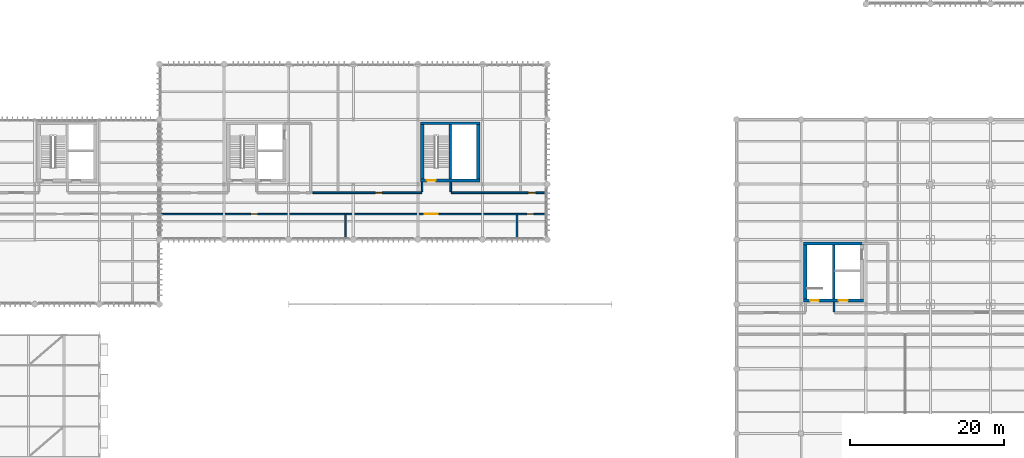
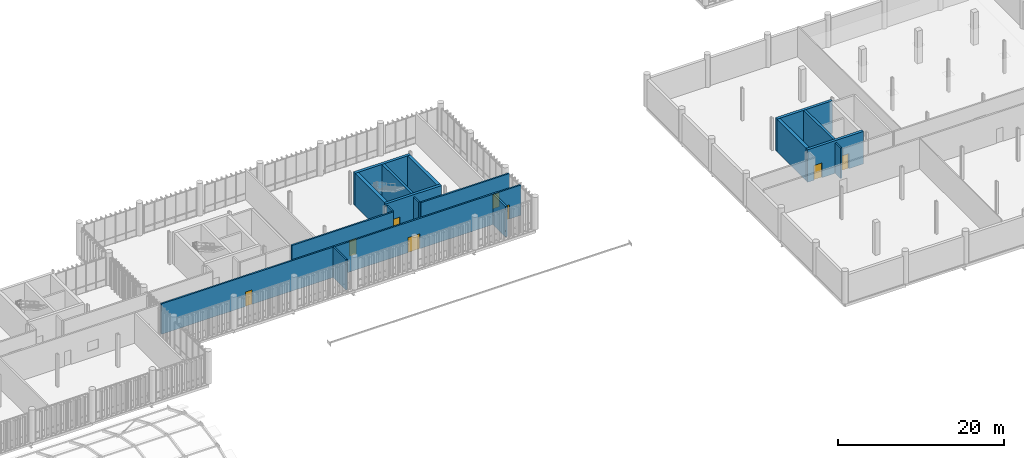
# One storey, part 80 of 94: 17 walls, 8 doors, 8 openings.
"""IFC4 building model written with IfcOpenShell, lengths in metres."""

from ifc_helpers import new_model, si_unit, direction, frame, frame_2d, origin_with_axes, place, context, subcontext, project, spatial, rectangle, extrude, material, layer, layer_set, type_object, element, fill, save


model = new_model("IFC4")

# Units and contexts
model_context = context("Model", 3, precision=1e-05, world=origin_with_axes(), true_north=direction((0.0, 1.0)))
body_context = subcontext(model_context, "Body", "Model", "MODEL_VIEW")
ifc_project = project(units=[si_unit("LENGTHUNIT", "METRE"), si_unit("AREAUNIT", "SQUARE_METRE"), si_unit("VOLUMEUNIT", "CUBIC_METRE"), si_unit("PLANEANGLEUNIT", "RADIAN"), si_unit("MASSUNIT", "GRAM", prefix="KILO"), si_unit("THERMODYNAMICTEMPERATUREUNIT", "KELVIN")], contexts=[model_context])

# Site, building, storey
site_placement = place(None, origin_with_axes())
site = spatial("IfcSite", under=ifc_project, at=site_placement, CompositionType="ELEMENT")
building_placement = place(site_placement, origin_with_axes())
building = spatial("IfcBuilding", under=site, at=building_placement, Name="Montbau Bow Law Courts", CompositionType="ELEMENT")
storey_placement = place(building_placement, frame((0.0, 0.0, 15.6), z_axis=(0.0, 0.0, 1.0), x_axis=(1.0, 0.0, 0.0)))
storey = spatial("IfcBuildingStorey", under=building, at=storey_placement, Name="L03", CompositionType="ELEMENT", Elevation=15.6)

# Walls
ifc_material_1 = material(Name="Concrete CSA A23.1 f'c 45 MPa", Category="concrete")
ifc_layer_1 = layer(ifc_material_1, 0.45, Name="Shear Wall", Category="concrete")
ifc_layer_set_1 = layer_set([ifc_layer_1], Name="Concrete CSA A23.1 f'c 45 MPa")
wall_type_1 = type_object("IfcWallType", Name="W-COR-02", PredefinedType="SHEAR", material=ifc_layer_set_1)
for number, where, z_axis, x_axis, name in (
    (1, (88.26, 46.87, 15.6), (0.0, 0.0, 1.0), (0.0, 1.0, 0.0), "WC-L03-0236:wal_0303"),
    (2, (80.94, 53.93, 15.6), (0.0, 0.0, 1.0), (0.0, -1.0, 0.0), "WC-L03-0237:wal_0304"),
):
    element("IfcWall", number, at=place(None, frame(where, z_axis=z_axis, x_axis=x_axis)), inside=storey, type_object=wall_type_1, Name=name, PredefinedType="SHEAR", context=body_context, shape_type="SweptSolid", body=[
        extrude(rectangle(XDim=7.060000000000002, YDim=0.45, at=frame_2d((3.53, 0.0), x_axis=(1.0, 0.0))), origin_with_axes(), (0.0, 0.0, 1.0), 4.8),
    ])
wall_1_placement = place(None, frame((130.74, 38.33, 15.6), z_axis=(0.0, 0.0, 1.0), x_axis=(0.0, -1.0, 0.0)))
element("IfcWall", 3, at=wall_1_placement, inside=storey, type_object=wall_type_1, Name="WC-L03-0519:wal_0586", PredefinedType="SHEAR", context=body_context, shape_type="SweptSolid", body=[
    extrude(rectangle(XDim=7.059999999999999, YDim=0.45, at=frame_2d((3.53, 0.0), x_axis=(1.0, 0.0))), origin_with_axes(), (0.0, 0.0, 1.0), 4.8),
])

# Wall, opening, door
ifc_layer_2 = layer(ifc_material_1, 0.38, Name="Shear Wall", Category="concrete")
ifc_layer_set_2 = layer_set([ifc_layer_2], Name="Concrete CSA A23.1 f'c 45 MPa")
wall_type_2 = type_object("IfcWallType", Name="W-COR-04", PredefinedType="SHEAR", material=ifc_layer_set_2)
wall_2_placement = place(None, frame((80.715, 46.68, 15.6), z_axis=(0.0, 0.0, 1.0), x_axis=(1.0, 0.0, 0.0)))
wall_2 = element("IfcWall", 4, at=wall_2_placement, inside=storey, type_object=wall_type_2, Name="WC-L03-0234:wal_0301", PredefinedType="SHEAR", context=body_context, shape_type="SweptSolid", body=[
    extrude(rectangle(XDim=7.769999999999996, YDim=0.38, at=frame_2d((3.885, 0.0), x_axis=(1.0, 0.0))), origin_with_axes(), (0.0, 0.0, 1.0), 4.8),
])
opening_1_placement = place(None, frame((82.135, 46.68, 15.6), z_axis=(0.0, 0.0, 1.0), x_axis=(1.0, 0.0, 0.0)))
opening_1 = element("IfcOpeningElement", 5, at=opening_1_placement, cuts=wall_2, Name="OP-D-L03-ST-P3", PredefinedType="OPENING", context=body_context, shape_type="SweptSolid", body=[
    extrude(rectangle(XDim=1.14, YDim=2.18, at=frame_2d((0.0, 1.09), x_axis=(1.0, 0.0))), frame((0.0, 0.2, 0.0), z_axis=(0.0, -1.0, 0.0), x_axis=(1.0, 0.0, 0.0)), (0.0, 0.0, 1.0), 0.4),
])
ifc_material_2 = material(Name="1.5 h Fire-Rated Hollow-Metal Exit Stair Door", Category="steel")
door_type_1 = type_object("IfcDoorType", Name="D-ST-01", OperationType="NOTDEFINED", ParameterTakesPrecedence=False, PredefinedType="DOOR", material=ifc_material_2)
door_1_placement = place(None, frame((82.135, 46.68, 15.6), z_axis=(0.0, 0.0, 1.0), x_axis=(-1.0, 0.0, 0.0)))
door_1 = element("IfcDoor", 6, at=door_1_placement, inside=storey, type_object=door_type_1, Name="D-L03-ST-P3:dor_0129", OperationType="SINGLE_SWING_LEFT", OverallHeight=2.18, OverallWidth=1.14, PredefinedType="DOOR", context=body_context, shape_type="SweptSolid", body=[
    extrude(rectangle(XDim=1.14, YDim=2.18, at=frame_2d((0.0, 1.09), x_axis=(1.0, 0.0))), frame((0.0, 0.04, 0.0), z_axis=(0.0, -1.0, 0.0), x_axis=(1.0, 0.0, 0.0)), (0.0, 0.0, 1.0), 0.08),
])
fill(opening_1, door_1)

# Wall
wall_3_placement = place(None, frame((88.485, 54.12, 15.6), z_axis=(0.0, 0.0, 1.0), x_axis=(-1.0, 0.0, 0.0)))
element("IfcWall", 7, at=wall_3_placement, inside=storey, type_object=wall_type_2, Name="WC-L03-0235:wal_0302", PredefinedType="SHEAR", context=body_context, shape_type="SweptSolid", body=[
    extrude(rectangle(XDim=7.769999999999996, YDim=0.38, at=frame_2d((3.885, 0.0), x_axis=(1.0, 0.0))), origin_with_axes(), (0.0, 0.0, 1.0), 4.8),
])

# Wall, openings, doors
wall_4_placement = place(None, frame((130.515, 31.08, 15.6), z_axis=(0.0, 0.0, 1.0), x_axis=(1.0, 0.0, 0.0)))
wall_4 = element("IfcWall", 8, at=wall_4_placement, inside=storey, type_object=wall_type_2, Name="WC-L03-0516:wal_0583", PredefinedType="SHEAR", context=body_context, shape_type="SweptSolid", body=[
    extrude(rectangle(XDim=7.77000000000001, YDim=0.38, at=frame_2d((3.885, 0.0), x_axis=(1.0, 0.0))), origin_with_axes(), (0.0, 0.0, 1.0), 4.8),
])
opening_2_placement = place(None, frame((131.935, 31.08, 15.6), z_axis=(0.0, 0.0, 1.0), x_axis=(1.0, 0.0, 0.0)))
opening_2 = element("IfcOpeningElement", 9, at=opening_2_placement, cuts=wall_4, Name="OP-D-L03-ST-C1", PredefinedType="OPENING", context=body_context, shape_type="SweptSolid", body=[
    extrude(rectangle(XDim=1.14, YDim=2.18, at=frame_2d((0.0, 1.09), x_axis=(1.0, 0.0))), frame((0.0, 0.2, 0.0), z_axis=(0.0, -1.0, 0.0), x_axis=(1.0, 0.0, 0.0)), (0.0, 0.0, 1.0), 0.4),
])
opening_3_placement = place(None, frame((135.66, 31.08, 15.6), z_axis=(0.0, 0.0, 1.0), x_axis=(1.0, 0.0, 0.0)))
opening_3 = element("IfcOpeningElement", 10, at=opening_3_placement, cuts=wall_4, Name="OP-LD-L03-EL-C1", PredefinedType="OPENING", context=body_context, shape_type="SweptSolid", body=[
    extrude(rectangle(XDim=1.18, YDim=2.24, at=frame_2d((0.0, 1.12), x_axis=(1.0, 0.0))), frame((0.0, 0.2, 0.0), z_axis=(0.0, -1.0, 0.0), x_axis=(1.0, 0.0, 0.0)), (0.0, 0.0, 1.0), 0.4),
])
door_2_placement = place(None, frame((131.935, 31.08, 15.6), z_axis=(0.0, 0.0, 1.0), x_axis=(-1.0, 0.0, 0.0)))
door_2 = element("IfcDoor", 11, at=door_2_placement, inside=storey, type_object=door_type_1, Name="D-L03-ST-C1:dor_0231", OperationType="SINGLE_SWING_LEFT", OverallHeight=2.18, OverallWidth=1.14, PredefinedType="DOOR", context=body_context, shape_type="SweptSolid", body=[
    extrude(rectangle(XDim=1.14, YDim=2.18, at=frame_2d((0.0, 1.09), x_axis=(1.0, 0.0))), frame((0.0, 0.04, 0.0), z_axis=(0.0, -1.0, 0.0), x_axis=(1.0, 0.0, 0.0)), (0.0, 0.0, 1.0), 0.08),
])
fill(opening_2, door_2)
ifc_material_3 = material(Name="Heavy-Gauge Security Custody Elevator Landing Door", Category="steel")
door_type_2 = type_object("IfcDoorType", Name="LD-CUS-01", OperationType="NOTDEFINED", ParameterTakesPrecedence=False, PredefinedType="DOOR", material=ifc_material_3)
door_3_placement = place(None, frame((135.66, 31.08, 15.6), z_axis=(0.0, 0.0, 1.0), x_axis=(-1.0, 0.0, 0.0)))
door_3 = element("IfcDoor", 12, at=door_3_placement, inside=storey, type_object=door_type_2, Name="LD-L03-EL-C1:dor_0232", OperationType="SLIDING_TO_LEFT", OverallHeight=2.24, OverallWidth=1.18, PredefinedType="DOOR", context=body_context, shape_type="SweptSolid", body=[
    extrude(rectangle(XDim=1.18, YDim=2.24, at=frame_2d((0.0, 1.12), x_axis=(1.0, 0.0))), frame((0.0, 0.04, 0.0), z_axis=(0.0, -1.0, 0.0), x_axis=(1.0, 0.0, 0.0)), (0.0, 0.0, 1.0), 0.08),
])
fill(opening_3, door_3)

# Walls
wall_5_placement = place(None, frame((138.285, 38.52, 15.6), z_axis=(0.0, 0.0, 1.0), x_axis=(-1.0, 0.0, 0.0)))
element("IfcWall", 13, at=wall_5_placement, inside=storey, type_object=wall_type_2, Name="WC-L03-0517:wal_0584", PredefinedType="SHEAR", context=body_context, shape_type="SweptSolid", body=[
    extrude(rectangle(XDim=7.77000000000001, YDim=0.38, at=frame_2d((3.885, 0.0), x_axis=(1.0, 0.0))), origin_with_axes(), (0.0, 0.0, 1.0), 4.8),
])
ifc_layer_3 = layer(ifc_material_1, 0.32, Name="Shear Wall", Category="concrete")
ifc_layer_set_3 = layer_set([ifc_layer_3], Name="Concrete CSA A23.1 f'c 45 MPa")
wall_type_3 = type_object("IfcWallType", Name="W-COR-05", PredefinedType="SHEAR", material=ifc_layer_set_3)
wall_6_placement = place(None, frame((84.62, 46.87, 15.6), z_axis=(0.0, 0.0, 1.0), x_axis=(0.0, 1.0, 0.0)))
element("IfcWall", 14, at=wall_6_placement, inside=storey, type_object=wall_type_3, Name="WS-L03-0238:wal_0305", PredefinedType="SHEAR", context=body_context, shape_type="SweptSolid", body=[
    extrude(rectangle(XDim=7.060000000000002, YDim=0.32, at=frame_2d((3.53, 0.0), x_axis=(1.0, 0.0))), origin_with_axes(), (0.0, 0.0, 1.0), 4.8),
])
wall_7_placement = place(None, frame((134.42, 31.27, 15.6), z_axis=(0.0, 0.0, 1.0), x_axis=(0.0, 1.0, 0.0)))
element("IfcWall", 15, at=wall_7_placement, inside=storey, type_object=wall_type_3, Name="WS-L03-0520:wal_0587", PredefinedType="SHEAR", context=body_context, shape_type="SweptSolid", body=[
    extrude(rectangle(XDim=7.059999999999999, YDim=0.32, at=frame_2d((3.53, 0.0), x_axis=(1.0, 0.0))), origin_with_axes(), (0.0, 0.0, 1.0), 4.8),
])
ifc_material_4 = material(Name="Double-Stud Acoustic Plumbing Chase Gypsum Assembly", Category="gypsum")
ifc_layer_4 = layer(ifc_material_4, 0.26, Name="Plumbing Wall", Category="gypsum")
ifc_layer_set_4 = layer_set([ifc_layer_4], Name="Double-Stud Acoustic Plumbing Chase Gypsum Assembly")
wall_type_4 = type_object("IfcWallType", Name="W-PLM-01", PredefinedType="PLUMBINGWALL", material=ifc_layer_set_4)
wall_8_placement = place(None, frame((93.29, 39.18, 15.6), z_axis=(0.0, 0.0, 1.0), x_axis=(0.0, 1.0, 0.0)))
element("IfcWall", 16, at=wall_8_placement, inside=storey, type_object=wall_type_4, Name="WD-L03-0795:wal_0862", PredefinedType="PLUMBINGWALL", context=body_context, shape_type="SweptSolid", body=[
    extrude(rectangle(XDim=3.030000000000001, YDim=0.26, at=frame_2d((1.515, 0.0), x_axis=(1.0, 0.0))), origin_with_axes(), (0.0, 0.0, 1.0), 4.48),
])
ifc_material_5 = material(Name="STC-60 High-Acoustic Courtroom Perimeter Partition", Category="gypsum")
ifc_layer_5 = layer(ifc_material_5, 0.22, Name="Partition", Category="gypsum")
ifc_layer_set_5 = layer_set([ifc_layer_5], Name="STC-60 High-Acoustic Courtroom Perimeter Partition")
wall_type_5 = type_object("IfcWallType", Name="W-PRT-02", PredefinedType="PARTITIONING", material=ifc_layer_set_5)
for number, where, z_axis, x_axis, name in (
    (17, (80.94, 45.22, 15.6), (0.0, 0.0, 1.0), (0.0, 1.0, 0.0), "WCX-L03-0787:wal_0854"),
    (18, (84.65, 45.22, 15.6), (0.0, 0.0, 1.0), (0.0, 1.0, 0.0), "WCX-L03-0788:wal_0855"),
):
    element("IfcWall", number, at=place(None, frame(where, z_axis=z_axis, x_axis=x_axis)), inside=storey, type_object=wall_type_5, Name=name, PredefinedType="PARTITIONING", context=body_context, shape_type="SweptSolid", body=[
        extrude(rectangle(XDim=1.259999999999998, YDim=0.22, at=frame_2d((0.63, 0.0), x_axis=(1.0, 0.0))), origin_with_axes(), (0.0, 0.0, 1.0), 4.48),
    ])

# Wall, opening, door
wall_9_placement = place(None, frame((66.755, 45.09, 15.6), z_axis=(0.0, 0.0, 1.0), x_axis=(1.0, 0.0, 0.0)))
wall_9 = element("IfcWall", 19, at=wall_9_placement, inside=storey, type_object=wall_type_5, Name="WP-L03-0791:wal_0858", PredefinedType="PARTITIONING", context=body_context, shape_type="SweptSolid", body=[
    extrude(rectangle(XDim=14.14500000000001, YDim=0.22, at=frame_2d((7.0725, 0.0), x_axis=(1.0, 0.0))), origin_with_axes(), (0.0, 0.0, 1.0), 4.48),
])
opening_4_placement = place(None, frame((75.289, 45.09, 15.6), z_axis=(0.0, 0.0, 1.0), x_axis=(1.0, 0.0, 0.0)))
opening_4 = element("IfcOpeningElement", 20, at=opening_4_placement, cuts=wall_9, Name="OP-D-L03-328", PredefinedType="OPENING", context=body_context, shape_type="SweptSolid", body=[
    extrude(rectangle(XDim=0.94, YDim=2.3, at=frame_2d((0.0, 1.15), x_axis=(1.0, 0.0))), frame((0.0, 0.12, 0.0), z_axis=(0.0, -1.0, 0.0), x_axis=(1.0, 0.0, 0.0)), (0.0, 0.0, 1.0), 0.24),
])
ifc_material_6 = material(Name="Appellate Justice Suite Solid White-Oak Door", Category="wood")
door_type_3 = type_object("IfcDoorType", Name="D-CHM-02", OperationType="NOTDEFINED", ParameterTakesPrecedence=False, PredefinedType="DOOR", material=ifc_material_6)
door_4_placement = place(None, frame((75.289, 45.09, 15.6), z_axis=(0.0, 0.0, 1.0), x_axis=(-1.0, 0.0, 0.0)))
door_4 = element("IfcDoor", 21, at=door_4_placement, inside=storey, type_object=door_type_3, Name="D-L03-328:dor_0363", OperationType="SINGLE_SWING_RIGHT", OverallHeight=2.3, OverallWidth=0.94, PredefinedType="DOOR", context=body_context, shape_type="SweptSolid", body=[
    extrude(rectangle(XDim=0.94, YDim=2.3, at=frame_2d((0.0, 1.15), x_axis=(1.0, 0.0))), frame((0.0, 0.04, 0.0), z_axis=(0.0, -1.0, 0.0), x_axis=(1.0, 0.0, 0.0)), (0.0, 0.0, 1.0), 0.08),
])
fill(opening_4, door_4)

wall_10_placement = place(None, frame((84.75, 45.09, 15.6), z_axis=(0.0, 0.0, 1.0), x_axis=(1.0, 0.0, 0.0)))
wall_10 = element("IfcWall", 22, at=wall_10_placement, inside=storey, type_object=wall_type_5, Name="WP-L03-0792:wal_0859", PredefinedType="PARTITIONING", context=body_context, shape_type="SweptSolid", body=[
    extrude(rectangle(XDim=12.310000000000002, YDim=0.22, at=frame_2d((6.155, 0.0), x_axis=(1.0, 0.0))), origin_with_axes(), (0.0, 0.0, 1.0), 4.48),
])
opening_5_placement = place(None, frame((95.238, 45.09, 15.6), z_axis=(0.0, 0.0, 1.0), x_axis=(1.0, 0.0, 0.0)))
opening_5 = element("IfcOpeningElement", 23, at=opening_5_placement, cuts=wall_10, Name="OP-D-L03-329", PredefinedType="OPENING", context=body_context, shape_type="SweptSolid", body=[
    extrude(rectangle(XDim=0.95, YDim=2.1, at=frame_2d((0.0, 1.05), x_axis=(1.0, 0.0))), frame((0.0, 0.12, 0.0), z_axis=(0.0, -1.0, 0.0), x_axis=(1.0, 0.0, 0.0)), (0.0, 0.0, 1.0), 0.24),
])
ifc_material_7 = material(Name="CSA B651 Universal Barrier-Free Washroom Door", Category="wood")
door_type_4 = type_object("IfcDoorType", Name="D-WC-01", OperationType="NOTDEFINED", ParameterTakesPrecedence=False, PredefinedType="DOOR", material=ifc_material_7)
door_5_placement = place(None, frame((95.238, 45.09, 15.6), z_axis=(0.0, 0.0, 1.0), x_axis=(-1.0, 0.0, 0.0)))
door_5 = element("IfcDoor", 24, at=door_5_placement, inside=storey, type_object=door_type_4, Name="D-L03-329:dor_0364", OperationType="SINGLE_SWING_LEFT", OverallHeight=2.1, OverallWidth=0.95, PredefinedType="DOOR", context=body_context, shape_type="SweptSolid", body=[
    extrude(rectangle(XDim=0.95, YDim=2.1, at=frame_2d((0.0, 1.05), x_axis=(1.0, 0.0))), frame((0.0, 0.04, 0.0), z_axis=(0.0, -1.0, 0.0), x_axis=(1.0, 0.0, 0.0)), (0.0, 0.0, 1.0), 0.08),
])
fill(opening_5, door_5)

# Wall, openings, doors
wall_11_placement = place(None, frame((46.956, 42.31, 15.6), z_axis=(0.0, 0.0, 1.0), x_axis=(1.0, 0.0, 0.0)))
wall_11 = element("IfcWall", 25, at=wall_11_placement, inside=storey, type_object=wall_type_5, Name="WP-L03-0793:wal_0860", PredefinedType="PARTITIONING", context=body_context, shape_type="SweptSolid", body=[
    extrude(rectangle(XDim=50.104, YDim=0.22, at=frame_2d((25.052, 0.0), x_axis=(1.0, 0.0))), origin_with_axes(), (0.0, 0.0, 1.0), 4.48),
])
opening_6_placement = place(None, frame((59.14, 42.31, 15.6), z_axis=(0.0, 0.0, 1.0), x_axis=(1.0, 0.0, 0.0)))
opening_6 = element("IfcOpeningElement", 26, at=opening_6_placement, cuts=wall_11, Name="OP-D-L03-330", PredefinedType="OPENING", context=body_context, shape_type="SweptSolid", body=[
    extrude(rectangle(XDim=0.92, YDim=2.14, at=frame_2d((0.0, 1.07), x_axis=(1.0, 0.0))), frame((0.0, 0.12, 0.0), z_axis=(0.0, -1.0, 0.0), x_axis=(1.0, 0.0, 0.0)), (0.0, 0.0, 1.0), 0.24),
])
opening_7_placement = place(None, frame((82.145, 42.31, 15.6), z_axis=(0.0, 0.0, 1.0), x_axis=(1.0, 0.0, 0.0)))
opening_7 = element("IfcOpeningElement", 27, at=opening_7_placement, cuts=wall_11, Name="OP-D-L03-331", PredefinedType="OPENING", context=body_context, shape_type="SweptSolid", body=[
    extrude(rectangle(XDim=1.68, YDim=2.22, at=frame_2d((0.0, 1.11), x_axis=(1.0, 0.0))), frame((0.0, 0.12, 0.0), z_axis=(0.0, -1.0, 0.0), x_axis=(1.0, 0.0, 0.0)), (0.0, 0.0, 1.0), 0.24),
])
opening_8_placement = place(None, frame((95.013, 42.31, 15.6), z_axis=(0.0, 0.0, 1.0), x_axis=(1.0, 0.0, 0.0)))
opening_8 = element("IfcOpeningElement", 28, at=opening_8_placement, cuts=wall_11, Name="OP-D-L03-332", PredefinedType="OPENING", context=body_context, shape_type="SweptSolid", body=[
    extrude(rectangle(XDim=0.91, YDim=2.12, at=frame_2d((0.0, 1.06), x_axis=(1.0, 0.0))), frame((0.0, 0.12, 0.0), z_axis=(0.0, -1.0, 0.0), x_axis=(1.0, 0.0, 0.0)), (0.0, 0.0, 1.0), 0.24),
])
ifc_material_8 = material(Name="2 h Evidence Vault and Court Archive Fire Door", Category="steel")
door_type_5 = type_object("IfcDoorType", Name="D-ARC-01", OperationType="NOTDEFINED", ParameterTakesPrecedence=False, PredefinedType="DOOR", material=ifc_material_8)
door_6_placement = place(None, frame((82.145, 42.31, 15.6), z_axis=(0.0, 0.0, 1.0), x_axis=(1.0, 0.0, 0.0)))
door_6 = element("IfcDoor", 29, at=door_6_placement, inside=storey, type_object=door_type_5, Name="D-L03-331:dor_0366", OperationType="DOUBLE_DOOR_SINGLE_SWING", OverallHeight=2.22, OverallWidth=1.68, PredefinedType="DOOR", context=body_context, shape_type="SweptSolid", body=[
    extrude(rectangle(XDim=1.68, YDim=2.22, at=frame_2d((0.0, 1.11), x_axis=(1.0, 0.0))), frame((0.0, 0.04, 0.0), z_axis=(0.0, -1.0, 0.0), x_axis=(1.0, 0.0, 0.0)), (0.0, 0.0, 1.0), 0.08),
])
fill(opening_7, door_6)
ifc_material_9 = material(Name="Judicial Law Clerk and Registry Office Oak Door", Category="wood")
door_type_6 = type_object("IfcDoorType", Name="D-OFF-01", OperationType="NOTDEFINED", ParameterTakesPrecedence=False, PredefinedType="DOOR", material=ifc_material_9)
door_7_placement = place(None, frame((59.14, 42.31, 15.6), z_axis=(0.0, 0.0, 1.0), x_axis=(1.0, 0.0, 0.0)))
door_7 = element("IfcDoor", 30, at=door_7_placement, inside=storey, type_object=door_type_6, Name="D-L03-330:dor_0365", OperationType="SINGLE_SWING_RIGHT", OverallHeight=2.14, OverallWidth=0.92, PredefinedType="DOOR", context=body_context, shape_type="SweptSolid", body=[
    extrude(rectangle(XDim=0.92, YDim=2.14, at=frame_2d((0.0, 1.07), x_axis=(1.0, 0.0))), frame((0.0, 0.04, 0.0), z_axis=(0.0, -1.0, 0.0), x_axis=(1.0, 0.0, 0.0)), (0.0, 0.0, 1.0), 0.08),
])
fill(opening_6, door_7)
ifc_material_10 = material(Name="Public and Judicial Washroom Solid-Core Door", Category="wood")
door_type_7 = type_object("IfcDoorType", Name="D-WC-02", OperationType="NOTDEFINED", ParameterTakesPrecedence=False, PredefinedType="DOOR", material=ifc_material_10)
door_8_placement = place(None, frame((95.013, 42.31, 15.6), z_axis=(0.0, 0.0, 1.0), x_axis=(1.0, 0.0, 0.0)))
door_8 = element("IfcDoor", 31, at=door_8_placement, inside=storey, type_object=door_type_7, Name="D-L03-332:dor_0367", OperationType="SINGLE_SWING_LEFT", OverallHeight=2.12, OverallWidth=0.91, PredefinedType="DOOR", context=body_context, shape_type="SweptSolid", body=[
    extrude(rectangle(XDim=0.91, YDim=2.12, at=frame_2d((0.0, 1.06), x_axis=(1.0, 0.0))), frame((0.0, 0.04, 0.0), z_axis=(0.0, -1.0, 0.0), x_axis=(1.0, 0.0, 0.0)), (0.0, 0.0, 1.0), 0.08),
])
fill(opening_8, door_8)

# Walls
wall_12_placement = place(None, frame((134.45, 29.62, 15.6), z_axis=(0.0, 0.0, 1.0), x_axis=(0.0, 1.0, 0.0)))
element("IfcWall", 32, at=wall_12_placement, inside=storey, type_object=wall_type_5, Name="WCX-L03-0805:wal_0872", PredefinedType="PARTITIONING", context=body_context, shape_type="SweptSolid", body=[
    extrude(rectangle(XDim=1.259999999999998, YDim=0.22, at=frame_2d((0.63, 0.0), x_axis=(1.0, 0.0))), origin_with_axes(), (0.0, 0.0, 1.0), 4.48),
])
ifc_material_11 = material(Name="STC-55 Jury Deliberation Security Partition", Category="gypsum")
ifc_layer_6 = layer(ifc_material_11, 0.2, Name="Partition", Category="gypsum")
ifc_layer_set_6 = layer_set([ifc_layer_6], Name="STC-55 Jury Deliberation Security Partition")
wall_type_6 = type_object("IfcWallType", Name="W-PRT-03", PredefinedType="PARTITIONING", material=ifc_layer_set_6)
wall_13_placement = place(None, frame((71.001, 39.14, 15.6), z_axis=(0.0, 0.0, 1.0), x_axis=(0.0, 1.0, 0.0)))
element("IfcWall", 33, at=wall_13_placement, inside=storey, type_object=wall_type_6, Name="WD-L03-0797:wal_0864", PredefinedType="PARTITIONING", context=body_context, shape_type="SweptSolid", body=[
    extrude(rectangle(XDim=3.1700000000000017, YDim=0.2, at=frame_2d((1.585, 0.0), x_axis=(1.0, 0.0))), origin_with_axes(), (0.0, 0.0, 1.0), 4.48),
])

save(model, "model.ifc")
